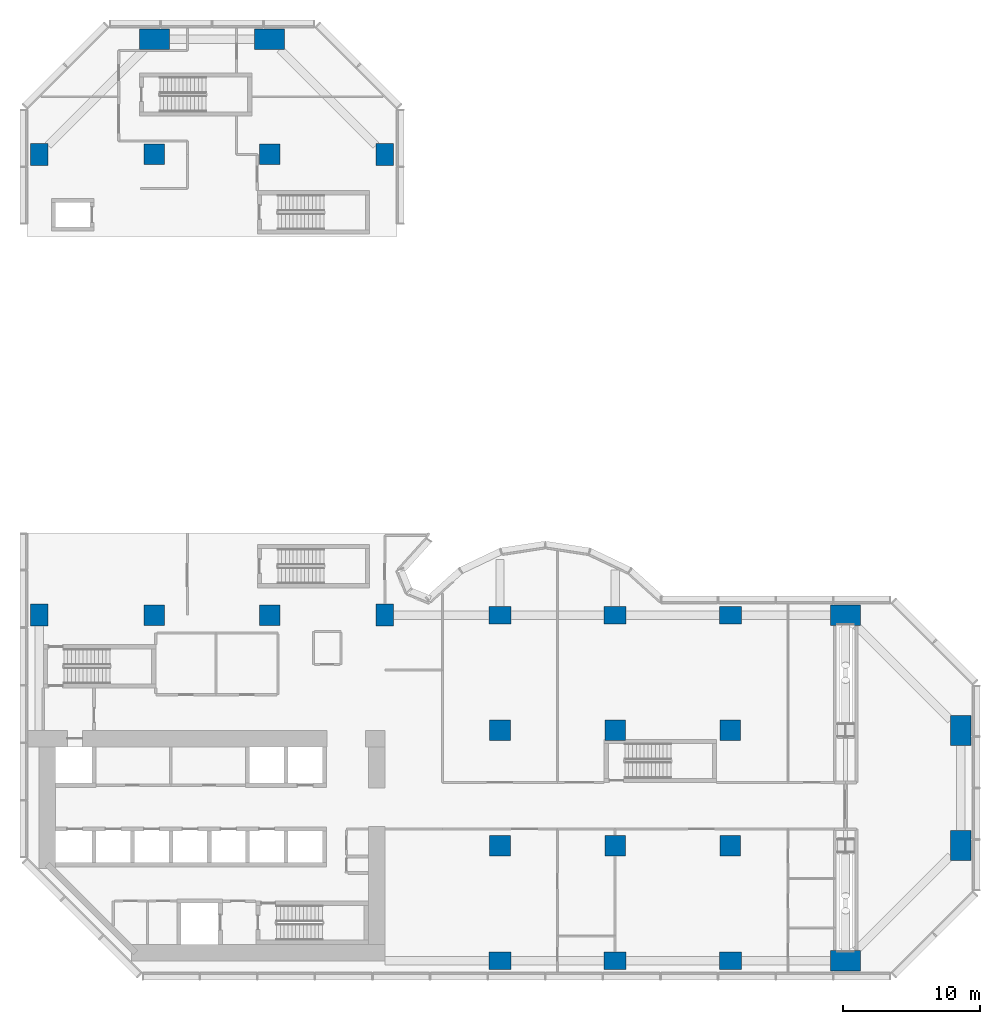
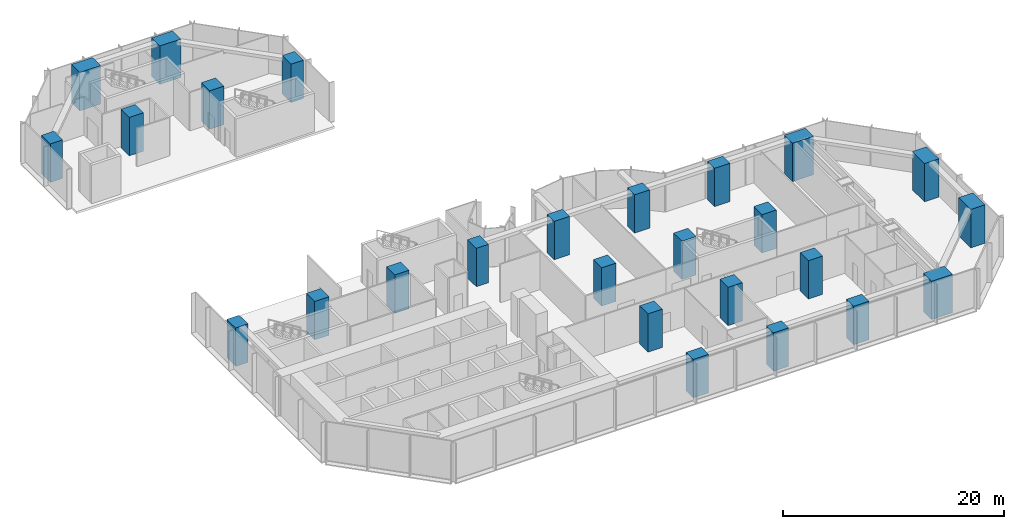
# One storey, part 1 of 18: 26 columns.
"""IFC4 building model written with IfcOpenShell, lengths in metres."""

from ifc_helpers import new_model, si_unit, direction, frame, origin, origin_2d, place, context, subcontext, project, spatial, rectangle, extrude, material, material_profile, profile_set, type_object, element, save


model = new_model("IFC4")

# Units and contexts
model_context = context("Model", 3, precision=1e-05, world=origin(), true_north=direction((0.0, 1.0)))
body_context = subcontext(model_context, "Body", "Model", "MODEL_VIEW")
ifc_project = project(units=[si_unit("LENGTHUNIT", "METRE"), si_unit("AREAUNIT", "SQUARE_METRE"), si_unit("VOLUMEUNIT", "CUBIC_METRE"), si_unit("PLANEANGLEUNIT", "RADIAN"), si_unit("MASSUNIT", "GRAM", prefix="KILO")], contexts=[model_context])

# Site, building, storey
site_placement = place(None, origin())
site = spatial("IfcSite", under=ifc_project, at=site_placement, CompositionType="ELEMENT")
building_placement = place(site_placement, origin())
building = spatial("IfcBuilding", under=site, at=building_placement, Name="Brevane Broadcast Tower", CompositionType="ELEMENT")
storey_placement = place(building_placement, frame((0.0, 0.0, 27.5)))
storey = spatial("IfcBuildingStorey", under=building, at=storey_placement, Name="L04", CompositionType="ELEMENT", Elevation=27.5)

# Columns
ifc_material = material(Name="Concrete C80/95", Category="concrete")
ifc_material_profile_1 = material_profile(ifc_material, rectangle(XDim=1.300048828125, YDim=1.60009765625, at=origin_2d()), Name="RC 1300x1600")
ifc_profile_set_1 = profile_set([ifc_material_profile_1], Name="Concrete C80/95")
column_type_1 = type_object("IfcColumnType", Name="RC COLUMN EDGE 1300x1600 C80/95", PredefinedType="COLUMN", material=ifc_profile_set_1)
for number, where, z_axis, x_axis, name in (
    (1, (0.0, 25.199951171875, 0.0), (0.0, 0.0, 1.0), (1.0, 0.0, 0.0), "CE1 1/D"),
    (2, (0.0, 58.800048828125, 0.0), (0.0, 0.0, 1.0), (1.0, 0.0, 0.0), "CE1 1/H"),
    (3, (25.199951171875, 25.199951171875, 0.0), (0.0, 0.0, 1.0), (1.0, 0.0, 0.0), "CE1 4/D"),
    (4, (25.199951171875, 58.800048828125, 0.0), (0.0, 0.0, 1.0), (1.0, 0.0, 0.0), "CE1 4/H"),
    (5, (33.60009765625, 0.0, 0.0), (0.0, 0.0, 1.0), (0.0, 1.0, 0.0), "CE1 5/A"),
    (6, (33.60009765625, 25.199951171875, 0.0), (0.0, 0.0, 1.0), (0.0, 1.0, 0.0), "CE1 5/D"),
    (7, (42.0, 0.0, 0.0), (0.0, 0.0, 1.0), (0.0, 1.0, 0.0), "CE1 6/A"),
    (8, (42.0, 25.199951171875, 0.0), (0.0, 0.0, 1.0), (0.0, 1.0, 0.0), "CE1 6/D"),
    (9, (50.39990234375, 0.0, 0.0), (0.0, 0.0, 1.0), (0.0, 1.0, 0.0), "CE1 7/A"),
    (10, (50.39990234375, 25.199951171875, 0.0), (0.0, 0.0, 1.0), (0.0, 1.0, 0.0), "CE1 7/D"),
):
    element("IfcColumn", number, at=place(storey_placement, frame(where, z_axis=z_axis, x_axis=x_axis)), inside=storey, type_object=column_type_1, Name=name, PredefinedType="COLUMN", context=body_context, shape_type="SweptSolid", body=[
        extrude(rectangle(XDim=1.300048828125, YDim=1.60009765625, at=origin_2d()), origin(), (0.0, 0.0, 1.0), 4.25),
    ])
ifc_material_profile_2 = material_profile(ifc_material, rectangle(XDim=1.5, YDim=2.199951171875, at=origin_2d()), Name="RC 1500x2200")
ifc_profile_set_2 = profile_set([ifc_material_profile_2], Name="Concrete C80/95")
column_type_2 = type_object("IfcColumnType", Name="RC COLUMN EDGE 1500x2200 C80/95", PredefinedType="COLUMN", material=ifc_profile_set_2)
for number, where, z_axis, x_axis, name in (
    (11, (58.800048828125, 0.0, 0.0), (0.0, 0.0, 1.0), (0.0, 1.0, 0.0), "CE4 8/A"),
    (12, (58.800048828125, 25.199951171875, 0.0), (0.0, 0.0, 1.0), (0.0, 1.0, 0.0), "CE4 8/D"),
):
    element("IfcColumn", number, at=place(storey_placement, frame(where, z_axis=z_axis, x_axis=x_axis)), inside=storey, type_object=column_type_2, Name=name, PredefinedType="COLUMN", context=body_context, shape_type="SweptSolid", body=[
        extrude(rectangle(XDim=1.5, YDim=2.199951171875, at=origin_2d()), origin(), (0.0, 0.0, 1.0), 4.25),
    ])
ifc_material_profile_3 = material_profile(ifc_material, rectangle(XDim=1.5, YDim=1.5, at=origin_2d()), Name="RC 1500x1500")
ifc_profile_set_3 = profile_set([ifc_material_profile_3], Name="Concrete C80/95")
column_type_3 = type_object("IfcColumnType", Name="RC COLUMN INTERIOR 1500x1500 C80/95", PredefinedType="COLUMN", material=ifc_profile_set_3)
for number, where, z_axis, x_axis, name in (
    (13, (8.39990234375, 25.199951171875, 0.0), (0.0, 0.0, 1.0), (1.0, 0.0, 0.0), "CI2 2/D"),
    (14, (8.39990234375, 58.800048828125, 0.0), (0.0, 0.0, 1.0), (1.0, 0.0, 0.0), "CI2 2/H"),
    (15, (16.800048828125, 25.199951171875, 0.0), (0.0, 0.0, 1.0), (1.0, 0.0, 0.0), "CI2 3/D"),
    (16, (16.800048828125, 58.800048828125, 0.0), (0.0, 0.0, 1.0), (1.0, 0.0, 0.0), "CI2 3/H"),
    (17, (33.60009765625, 8.39990234375, 0.0), (0.0, 0.0, 1.0), (1.0, 0.0, 0.0), "CI2 5/B"),
    (18, (33.60009765625, 16.800048828125, 0.0), (0.0, 0.0, 1.0), (1.0, 0.0, 0.0), "CI2 5/C"),
    (19, (42.0, 8.39990234375, 0.0), (0.0, 0.0, 1.0), (1.0, 0.0, 0.0), "CI2 6/B"),
    (20, (42.0, 16.800048828125, 0.0), (0.0, 0.0, 1.0), (1.0, 0.0, 0.0), "CI2 6/C"),
    (21, (50.39990234375, 8.39990234375, 0.0), (0.0, 0.0, 1.0), (1.0, 0.0, 0.0), "CI2 7/B"),
    (22, (50.39990234375, 16.800048828125, 0.0), (0.0, 0.0, 1.0), (1.0, 0.0, 0.0), "CI2 7/C"),
):
    element("IfcColumn", number, at=place(storey_placement, frame(where, z_axis=z_axis, x_axis=x_axis)), inside=storey, type_object=column_type_3, Name=name, PredefinedType="COLUMN", context=body_context, shape_type="SweptSolid", body=[
        extrude(rectangle(XDim=1.5, YDim=1.5, at=origin_2d()), origin(), (0.0, 0.0, 1.0), 4.25),
    ])
ifc_material_profile_4 = material_profile(ifc_material, rectangle(XDim=1.5, YDim=2.199951171875, at=origin_2d()), Name="RC 1500x2200")
ifc_profile_set_4 = profile_set([ifc_material_profile_4], Name="Concrete C80/95")
column_type_4 = type_object("IfcColumnType", Name="RC COLUMN WING-END 1500x2200 C80/95", PredefinedType="COLUMN", material=ifc_profile_set_4)
for number, where, z_axis, x_axis, name in (
    (23, (8.39990234375, 67.199951171875, 0.0), (0.0, 0.0, 1.0), (0.0, 1.0, 0.0), "CW3 2/I"),
    (24, (16.800048828125, 67.199951171875, 0.0), (0.0, 0.0, 1.0), (0.0, 1.0, 0.0), "CW3 3/I"),
    (25, (67.199951171875, 8.39990234375, 0.0), (0.0, 0.0, 1.0), (1.0, 0.0, 0.0), "CW3 9/B"),
    (26, (67.199951171875, 16.800048828125, 0.0), (0.0, 0.0, 1.0), (1.0, 0.0, 0.0), "CW3 9/C"),
):
    element("IfcColumn", number, at=place(storey_placement, frame(where, z_axis=z_axis, x_axis=x_axis)), inside=storey, type_object=column_type_4, Name=name, PredefinedType="COLUMN", context=body_context, shape_type="SweptSolid", body=[
        extrude(rectangle(XDim=1.5, YDim=2.199951171875, at=origin_2d()), origin(), (0.0, 0.0, 1.0), 4.25),
    ])

save(model, "model.ifc")
